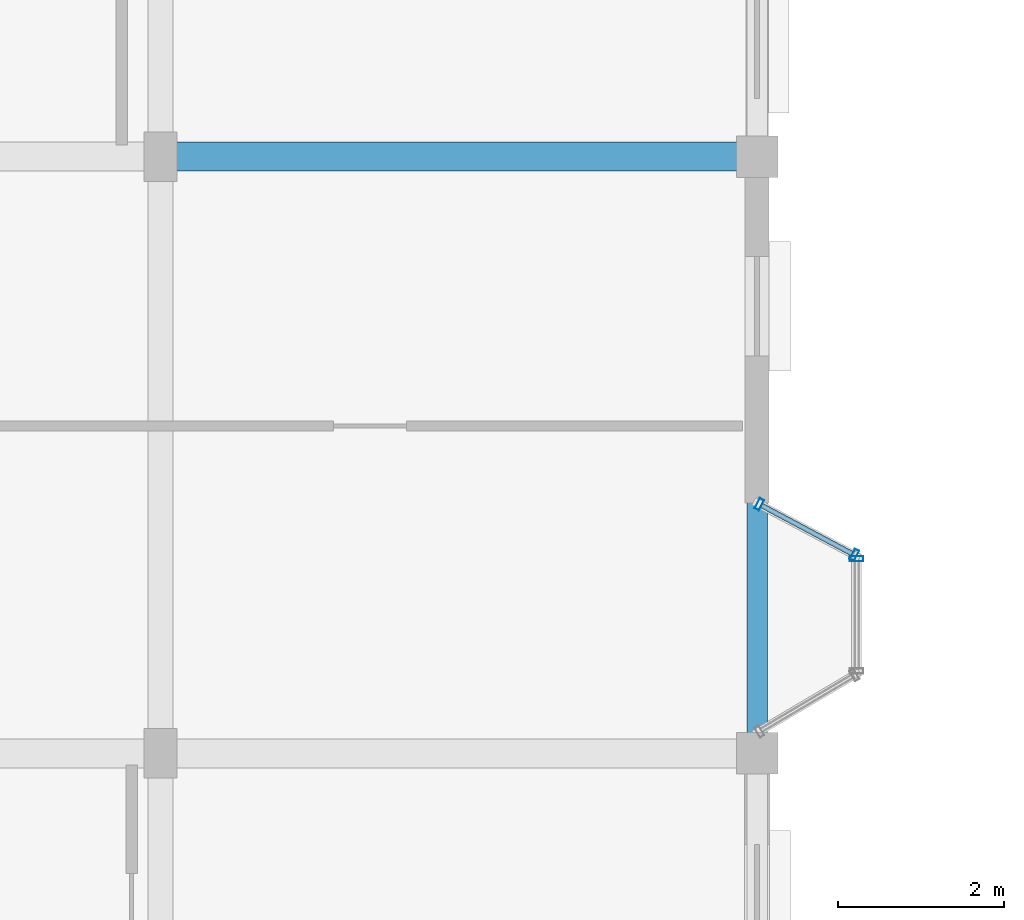
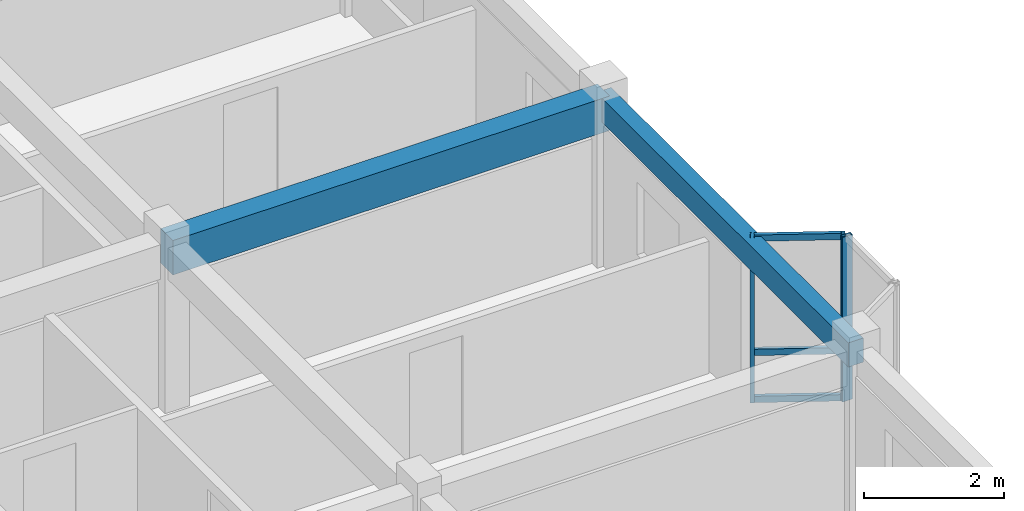
# One storey, part 12 of 64: 6 members, 2 beams, 2 elements without a shape of their own.
"""IFC4 building model written with IfcOpenShell, lengths in metres."""

from ifc_helpers import new_model, si_unit, direction, frame, origin, origin_2d, place, context, subcontext, project, spatial, rectangle, hollow_rectangle, extrude, material, layer, layer_set, material_profile, profile_set, type_object, element, aggregate, save


model = new_model("IFC4")

# Units and contexts
model_context = context("Model", 3, precision=1e-05, world=origin(), true_north=direction((0.0, 1.0)))
body_context = subcontext(model_context, "Body", "Model", "MODEL_VIEW")
ifc_project = project(units=[si_unit("LENGTHUNIT", "METRE"), si_unit("AREAUNIT", "SQUARE_METRE"), si_unit("VOLUMEUNIT", "CUBIC_METRE"), si_unit("PLANEANGLEUNIT", "RADIAN"), si_unit("MASSUNIT", "GRAM", prefix="KILO"), si_unit("THERMODYNAMICTEMPERATUREUNIT", "KELVIN"), si_unit("POWERUNIT", "WATT")], contexts=[model_context])

# Site, building, storey
site_placement = place(None, origin())
site = spatial("IfcSite", under=ifc_project, at=site_placement, CompositionType="ELEMENT")
building_placement = place(site_placement, origin())
building = spatial("IfcBuilding", under=site, at=building_placement, Name="Tavuni Mirador Residences", CompositionType="ELEMENT")
storey_placement = place(building_placement, frame((0.0, 0.0, 26.550048828125)))
storey = spatial("IfcBuildingStorey", under=building, at=storey_placement, Name="L08", CompositionType="ELEMENT", Elevation=26.550048828125)

# Beams
ifc_material_1 = material(Name="Precast concrete C40/50", Category="concrete")
ifc_material_profile_1 = material_profile(ifc_material_1, rectangle(XDim=0.35009765625, YDim=0.60009765625, at=origin_2d()), Name="PC 350x600", Category="concrete")
ifc_profile_set_1 = profile_set([ifc_material_profile_1], Name="Precast concrete C40/50")
beam_type_1 = type_object("IfcBeamType", Name="BT-B600", PredefinedType="BEAM", material=ifc_profile_set_1)
beam_1_placement = place(storey_placement, frame((25.199951171875, 28.800048828125, 2.570068359375), z_axis=(1.0, 0.0, 0.0), x_axis=(0.0, 1.0, 0.0)))
element("IfcBeam", 1, at=beam_1_placement, inside=storey, type_object=beam_type_1, Name="BMX-BLK-A-L08-03-03", PredefinedType="BEAM", context=body_context, shape_type="SweptSolid", body=[
    extrude(rectangle(XDim=0.35009765625, YDim=0.60009765625, at=origin_2d()), origin(), (0.0, 0.0, 1.0), 7.199951171875),
])
ifc_material_profile_2 = material_profile(ifc_material_1, rectangle(XDim=0.25, YDim=0.419921875, at=origin_2d()), Name="PC 250x420", Category="concrete")
ifc_profile_set_2 = profile_set([ifc_material_profile_2], Name="Precast concrete C40/50")
beam_type_2 = type_object("IfcBeamType", Name="BT-SP420", PredefinedType="SPANDREL", material=ifc_profile_set_2)
beam_2_placement = place(storey_placement, frame((32.39990234375, 21.60009765625, 2.659912109375), z_axis=(0.0, 1.0, 0.0), x_axis=(-1.0, 0.0, 0.0)))
element("IfcBeam", 2, at=beam_2_placement, inside=storey, type_object=beam_type_2, Name="BMY-BLK-A-L08-04-02", PredefinedType="SPANDREL", context=body_context, shape_type="SweptSolid", body=[
    extrude(rectangle(XDim=0.25, YDim=0.419921875, at=origin_2d()), origin(), (0.0, 0.0, 1.0), 7.199951171875),
])

# Curtain wall, members
ifc_material_2 = material(Name="Anodised aluminium", Category="aluminium")
ifc_layer_1 = layer(ifc_material_2, 0.175048828125, Name="Anodised aluminium", Category="aluminium")
ifc_layer_set_1 = layer_set([ifc_layer_1], Name="Anodised aluminium")
curtain_wall_type_1 = type_object("IfcCurtainWallType", Name="CWT-MIR-C", PredefinedType="NOTDEFINED", material=ifc_layer_set_1)
curtain_wall_1_placement = place(storey_placement, origin())
curtain_wall_1 = element("IfcCurtainWall", 3, at=curtain_wall_1_placement, inside=storey, type_object=curtain_wall_type_1, Name="CW-MIR-A-E2-L08-M2", PredefinedType="NOTDEFINED")
ifc_material_profile_3 = material_profile(ifc_material_2, hollow_rectangle(XDim=0.06005859375, YDim=0.139892578125, WallThickness=0.00390625, at=origin_2d()), Name="ALU 60x140x4.0", Category="aluminium")
ifc_profile_set_3 = profile_set([ifc_material_profile_3], Name="Anodised aluminium")
member_type_1 = type_object("IfcMemberType", Name="CWM-140", PredefinedType="MULLION", material=ifc_profile_set_3)
member_1_placement = place(storey_placement, frame((33.573486328125, 23.994140625, 0.0), z_axis=(0.0, 0.0, 1.0), x_axis=(-0.882352941175, 0.470588235296, 0.0)))
member_1 = element("IfcMember", 4, at=member_1_placement, type_object=member_type_1, Name="CW-03 mullion 1", PredefinedType="MULLION", context=body_context, shape_type="SweptSolid", body=[
    extrude(hollow_rectangle(XDim=0.06005859375, YDim=0.139892578125, WallThickness=0.00390625, at=origin_2d()), origin(), (0.0, 0.0, 1.0), 2.869873046875),
])
member_2_placement = place(storey_placement, frame((32.426513671875, 24.60595703125, 0.0), z_axis=(0.0, 0.0, 1.0), x_axis=(-0.882352941175, 0.470588235296, 0.0)))
member_2 = element("IfcMember", 5, at=member_2_placement, type_object=member_type_1, Name="CW-03 mullion 2", PredefinedType="MULLION", context=body_context, shape_type="SweptSolid", body=[
    extrude(hollow_rectangle(XDim=0.06005859375, YDim=0.139892578125, WallThickness=0.00390625, at=origin_2d()), origin(), (0.0, 0.0, 1.0), 2.869873046875),
])

# Curtain wall, member
ifc_layer_2 = layer(ifc_material_2, 0.14990234375, Name="Anodised aluminium", Category="aluminium")
ifc_layer_set_2 = layer_set([ifc_layer_2], Name="Anodised aluminium")
curtain_wall_type_2 = type_object("IfcCurtainWallType", Name="CWT-MIR-B", PredefinedType="NOTDEFINED", material=ifc_layer_set_2)
curtain_wall_2_placement = place(storey_placement, origin())
curtain_wall_2 = element("IfcCurtainWall", 6, at=curtain_wall_2_placement, inside=storey, type_object=curtain_wall_type_2, Name="CW-MIR-A-E2-L08-MF", PredefinedType="NOTDEFINED")
ifc_material_profile_4 = material_profile(ifc_material_2, hollow_rectangle(XDim=0.06494140625, YDim=0.1650390625, WallThickness=0.00439453125, at=origin_2d()), Name="ALU 65x165x4.5", Category="aluminium")
ifc_profile_set_4 = profile_set([ifc_material_profile_4], Name="Anodised aluminium")
member_type_2 = type_object("IfcMemberType", Name="CWM-165", PredefinedType="MULLION", material=ifc_profile_set_4)
member_3_placement = place(storey_placement, frame((33.60009765625, 23.947509765625, 0.0), z_axis=(0.0, 0.0, 1.0), x_axis=(0.0, 1.0, 0.0)))
member_3 = element("IfcMember", 7, at=member_3_placement, type_object=member_type_2, Name="CW-02 mullion 2", PredefinedType="MULLION", context=body_context, shape_type="SweptSolid", body=[
    extrude(hollow_rectangle(XDim=0.06494140625, YDim=0.1650390625, WallThickness=0.00439453125, at=origin_2d()), origin(), (0.0, 0.0, 1.0), 2.869873046875),
])
aggregate(curtain_wall_2, [member_3])

# Member
ifc_material_profile_5 = material_profile(ifc_material_2, hollow_rectangle(XDim=0.06005859375, YDim=0.110107421875, WallThickness=0.00390625, at=origin_2d()), Name="ALU 60x110x4.0", Category="aluminium")
ifc_profile_set_5 = profile_set([ifc_material_profile_5], Name="Anodised aluminium")
member_type_3 = type_object("IfcMemberType", Name="CWT-110", PredefinedType="USERDEFINED", material=ifc_profile_set_5)
member_4_placement = place(storey_placement, frame((33.547119140625, 24.00830078125, 0.030029296875), z_axis=(-0.882385637708, 0.470526924168, 0.0), x_axis=(-0.470526924168, -0.882385637708, 0.0)))
member_4 = element("IfcMember", 8, at=member_4_placement, type_object=member_type_3, Name="CW-03 transom 1.1", ObjectType="TRANSOM", PredefinedType="USERDEFINED", context=body_context, shape_type="SweptSolid", body=[
    extrude(hollow_rectangle(XDim=0.06005859375, YDim=0.110107421875, WallThickness=0.00390625, at=origin_2d()), origin(), (0.0, 0.0, 1.0), 1.239990234375),
])

member_5_placement = place(storey_placement, frame((33.547119140625, 24.00830078125, 0.849853515625), z_axis=(-0.882385637708, 0.470526924168, 0.0), x_axis=(-0.470526924168, -0.882385637708, 0.0)))
member_5 = element("IfcMember", 9, at=member_5_placement, type_object=member_type_3, Name="CW-03 transom 1.2", ObjectType="TRANSOM", PredefinedType="USERDEFINED", context=body_context, shape_type="SweptSolid", body=[
    extrude(hollow_rectangle(XDim=0.06005859375, YDim=0.110107421875, WallThickness=0.00390625, at=origin_2d()), origin(), (0.0, 0.0, 1.0), 1.239990234375),
])

member_6_placement = place(storey_placement, frame((33.547119140625, 24.00830078125, 2.83984375), z_axis=(-0.882385637708, 0.470526924168, 0.0), x_axis=(-0.470526924168, -0.882385637708, 0.0)))
member_6 = element("IfcMember", 10, at=member_6_placement, type_object=member_type_3, Name="CW-03 transom 1.3", ObjectType="TRANSOM", PredefinedType="USERDEFINED", context=body_context, shape_type="SweptSolid", body=[
    extrude(hollow_rectangle(XDim=0.06005859375, YDim=0.110107421875, WallThickness=0.00390625, at=origin_2d()), origin(), (0.0, 0.0, 1.0), 1.239990234375),
])

aggregate(curtain_wall_1, [member_1, member_2, member_4, member_5, member_6])

save(model, "model.ifc")
